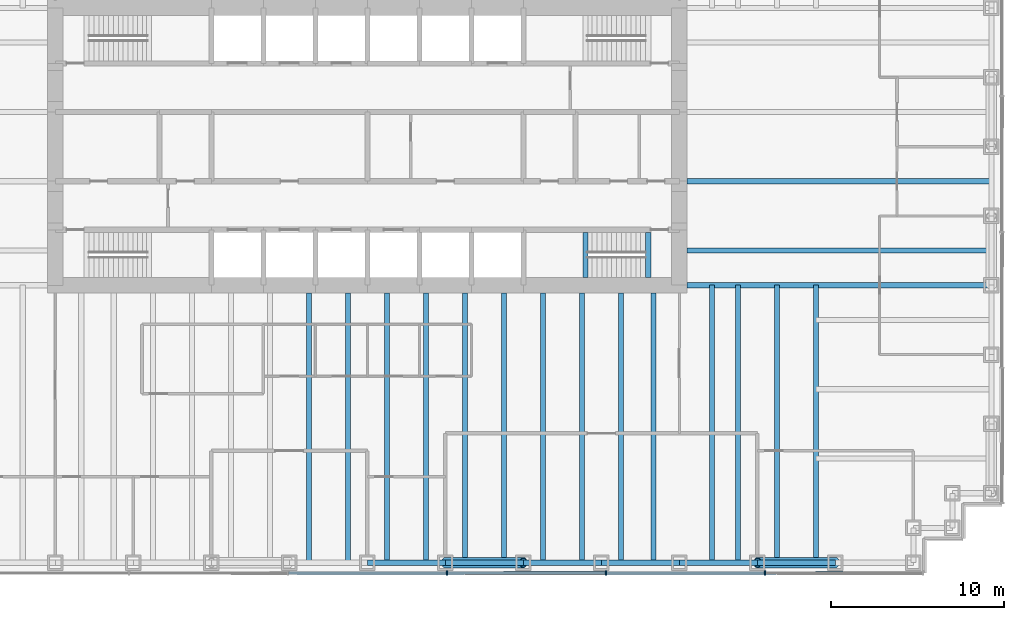
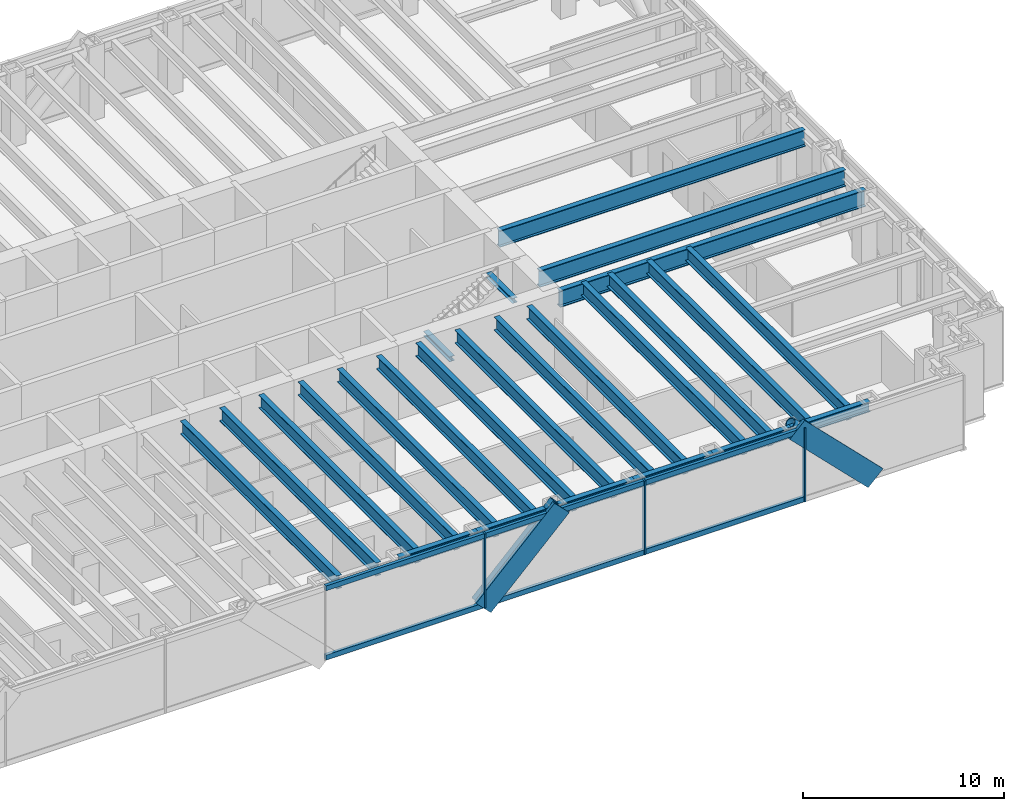
# One storey, part 3 of 13: 25 beams, 13 members, 1 element without a shape of its own.
"""IFC4 building model written with IfcOpenShell, lengths in metres."""

from ifc_helpers import new_model, si_unit, direction, frame, origin, origin_2d, place, context, subcontext, project, spatial, rectangle, hollow_circle, i_section, extrude, material, material_profile, profile_set, type_object, element, aggregate, save


model = new_model("IFC4")

# Units and contexts
model_context = context("Model", 3, precision=1e-05, world=origin(), true_north=direction((0.0, 1.0)))
body_context = subcontext(model_context, "Body", "Model", "MODEL_VIEW")
ifc_project = project(units=[si_unit("LENGTHUNIT", "METRE"), si_unit("AREAUNIT", "SQUARE_METRE"), si_unit("VOLUMEUNIT", "CUBIC_METRE"), si_unit("PLANEANGLEUNIT", "RADIAN"), si_unit("MASSUNIT", "GRAM", prefix="KILO")], contexts=[model_context])

# Site, building, storey
site_placement = place(None, origin())
site = spatial("IfcSite", under=ifc_project, at=site_placement, CompositionType="ELEMENT")
building_placement = place(site_placement, origin())
building = spatial("IfcBuilding", under=site, at=building_placement, Name="Rheinbord Bourse Tower", CompositionType="ELEMENT")
storey_placement = place(building_placement, frame((0.0, 0.0, 36.5)))
storey = spatial("IfcBuildingStorey", under=building, at=storey_placement, Name="L07", CompositionType="ELEMENT", Elevation=36.5)

# Curtain wall, members
ifc_material_1 = material(Name="Dark glass and black aluminium", Category="aluminium")
curtain_wall_type = type_object("IfcCurtainWallType", Name="CW1 DARK GLASS CURTAIN WALL", PredefinedType="USERDEFINED", material=ifc_material_1)
curtain_wall_placement = place(storey_placement, origin())
curtain_wall = element("IfcCurtainWall", 1, at=curtain_wall_placement, inside=storey, type_object=curtain_wall_type, Name="Curtain wall CW1 S L07", ObjectType="UNITISED CURTAIN WALL", PredefinedType="USERDEFINED")
ifc_material_2 = material(Name="Black anodised aluminium", Category="aluminium")
ifc_material_profile_1 = material_profile(ifc_material_2, rectangle(XDim=0.179931640625, YDim=1.2099609375, at=origin_2d()), Name="CW1 DIAGONAL MULLION 1210x180")
ifc_profile_set_1 = profile_set([ifc_material_profile_1], Name="Black anodised aluminium")
member_type_1 = type_object("IfcMemberType", Name="CW1 BLACK DIAGONAL MULLION", PredefinedType="USERDEFINED", material=ifc_profile_set_1)
member_1_placement = place(storey_placement, frame((40.5, -0.60009765625, 0.0), z_axis=(0.707106781187, 0.0, 0.707106781187), x_axis=(0.0, 1.0, 0.0)))
member_1 = element("IfcMember", 2, at=member_1_placement, type_object=member_type_1, Name="CW1 diagonal mullion a", ObjectType="DIAGONAL MULLION", PredefinedType="USERDEFINED", context=body_context, shape_type="SweptSolid", body=[
    extrude(rectangle(XDim=0.179931640625, YDim=1.2099609375, at=origin_2d()), origin(), (0.0, 0.0, 1.0), 6.364013671875),
])
member_2_placement = place(storey_placement, frame((63.0, -0.60009765625, 0.0), z_axis=(-0.707106781187, 0.0, 0.707106781187), x_axis=(0.0, -1.0, 0.0)))
member_2 = element("IfcMember", 3, at=member_2_placement, type_object=member_type_1, Name="CW1 diagonal mullion c", ObjectType="DIAGONAL MULLION", PredefinedType="USERDEFINED", context=body_context, shape_type="SweptSolid", body=[
    extrude(rectangle(XDim=0.179931640625, YDim=1.2099609375, at=origin_2d()), origin(), (0.0, 0.0, 1.0), 6.364013671875),
])
ifc_material_3 = material(Name="Black anodised aluminium", Category="aluminium")
ifc_material_profile_2 = material_profile(ifc_material_3, rectangle(XDim=0.25, YDim=0.080078125, at=origin_2d()), Name="CW1 MULLION 80x250")
ifc_profile_set_2 = profile_set([ifc_material_profile_2], Name="Black anodised aluminium")
member_type_2 = type_object("IfcMemberType", Name="CW1 BLACK MULLION", PredefinedType="MULLION", material=ifc_profile_set_2)
member_3_placement = place(storey_placement, frame((40.585693359375, -0.60009765625, 0.0), z_axis=(0.0, 0.0, 1.0), x_axis=(0.0, 1.0, 0.0)))
member_3 = element("IfcMember", 4, at=member_3_placement, type_object=member_type_2, Name="CW1 mullion 5", PredefinedType="MULLION", context=body_context, shape_type="SweptSolid", body=[
    extrude(rectangle(XDim=0.25, YDim=0.080078125, at=origin_2d()), origin(), (0.0, 0.0, 1.0), 4.5),
])
member_4_placement = place(storey_placement, frame((49.757080078125, -0.60009765625, 0.0), z_axis=(0.0, 0.0, 1.0), x_axis=(0.0, 1.0, 0.0)))
member_4 = element("IfcMember", 5, at=member_4_placement, type_object=member_type_2, Name="CW1 mullion 6", PredefinedType="MULLION", context=body_context, shape_type="SweptSolid", body=[
    extrude(rectangle(XDim=0.25, YDim=0.080078125, at=origin_2d()), origin(), (0.0, 0.0, 1.0), 4.5),
])
member_5_placement = place(storey_placement, frame((58.928466796875, -0.60009765625, 0.0), z_axis=(0.0, 0.0, 1.0), x_axis=(0.0, 1.0, 0.0)))
member_5 = element("IfcMember", 6, at=member_5_placement, type_object=member_type_2, Name="CW1 mullion 7", PredefinedType="MULLION", context=body_context, shape_type="SweptSolid", body=[
    extrude(rectangle(XDim=0.25, YDim=0.080078125, at=origin_2d()), origin(), (0.0, 0.0, 1.0), 4.5),
])
ifc_material_4 = material(Name="Black anodised aluminium", Category="aluminium")
ifc_material_profile_3 = material_profile(ifc_material_4, rectangle(XDim=0.179931640625, YDim=0.300048828125, at=origin_2d()), Name="CW1 TRANSOM 300x180")
ifc_profile_set_3 = profile_set([ifc_material_profile_3], Name="Black anodised aluminium")
member_type_3 = type_object("IfcMemberType", Name="CW1 BLACK TRANSOM", PredefinedType="USERDEFINED", material=ifc_profile_set_3)
member_6_placement = place(storey_placement, frame((31.454345703125, -0.60009765625, 0.14990234375), z_axis=(1.0, 0.0, 0.0), x_axis=(0.0, 1.0, 0.0)))
member_6 = element("IfcMember", 7, at=member_6_placement, type_object=member_type_3, Name="CW1 transom 4.1", ObjectType="TRANSOM", PredefinedType="USERDEFINED", context=body_context, shape_type="SweptSolid", body=[
    extrude(rectangle(XDim=0.179931640625, YDim=0.300048828125, at=origin_2d()), origin(), (0.0, 0.0, 1.0), 9.09130859375),
])
member_7_placement = place(storey_placement, frame((31.454345703125, -0.60009765625, 4.35009765625), z_axis=(1.0, 0.0, 0.0), x_axis=(0.0, 1.0, 0.0)))
member_7 = element("IfcMember", 8, at=member_7_placement, type_object=member_type_3, Name="CW1 transom 4.2", ObjectType="TRANSOM", PredefinedType="USERDEFINED", context=body_context, shape_type="SweptSolid", body=[
    extrude(rectangle(XDim=0.179931640625, YDim=0.300048828125, at=origin_2d()), origin(), (0.0, 0.0, 1.0), 9.09130859375),
])
member_8_placement = place(storey_placement, frame((40.625732421875, -0.60009765625, 0.14990234375), z_axis=(1.0, 0.0, 0.0), x_axis=(0.0, 1.0, 0.0)))
member_8 = element("IfcMember", 9, at=member_8_placement, type_object=member_type_3, Name="CW1 transom 5.1", ObjectType="TRANSOM", PredefinedType="USERDEFINED", context=body_context, shape_type="SweptSolid", body=[
    extrude(rectangle(XDim=0.179931640625, YDim=0.300048828125, at=origin_2d()), origin(), (0.0, 0.0, 1.0), 9.09130859375),
])
member_9_placement = place(storey_placement, frame((40.625732421875, -0.60009765625, 4.35009765625), z_axis=(1.0, 0.0, 0.0), x_axis=(0.0, 1.0, 0.0)))
member_9 = element("IfcMember", 10, at=member_9_placement, type_object=member_type_3, Name="CW1 transom 5.2", ObjectType="TRANSOM", PredefinedType="USERDEFINED", context=body_context, shape_type="SweptSolid", body=[
    extrude(rectangle(XDim=0.179931640625, YDim=0.300048828125, at=origin_2d()), origin(), (0.0, 0.0, 1.0), 9.09130859375),
])
member_10_placement = place(storey_placement, frame((49.797119140625, -0.60009765625, 0.14990234375), z_axis=(1.0, 0.0, 0.0), x_axis=(0.0, 1.0, 0.0)))
member_10 = element("IfcMember", 11, at=member_10_placement, type_object=member_type_3, Name="CW1 transom 6.1", ObjectType="TRANSOM", PredefinedType="USERDEFINED", context=body_context, shape_type="SweptSolid", body=[
    extrude(rectangle(XDim=0.179931640625, YDim=0.300048828125, at=origin_2d()), origin(), (0.0, 0.0, 1.0), 9.091552734375),
])
member_11_placement = place(storey_placement, frame((49.797119140625, -0.60009765625, 4.35009765625), z_axis=(1.0, 0.0, 0.0), x_axis=(0.0, 1.0, 0.0)))
member_11 = element("IfcMember", 12, at=member_11_placement, type_object=member_type_3, Name="CW1 transom 6.2", ObjectType="TRANSOM", PredefinedType="USERDEFINED", context=body_context, shape_type="SweptSolid", body=[
    extrude(rectangle(XDim=0.179931640625, YDim=0.300048828125, at=origin_2d()), origin(), (0.0, 0.0, 1.0), 9.091552734375),
])
aggregate(curtain_wall, [member_3, member_4, member_5, member_6, member_7, member_8, member_9, member_10, member_11, member_1, member_2])

# Beams
ifc_material_5 = material(Name="Steel S460", Category="steel")
ifc_material_profile_4 = material_profile(ifc_material_5, i_section(OverallWidth=0.302001953125, OverallDepth=1.008056640625, WebThickness=0.02099609375, FlangeThickness=0.0400390625, at=origin_2d()), Name="HEM 1000")
ifc_profile_set_4 = profile_set([ifc_material_profile_4], Name="Steel S460")
beam_type_1 = type_object("IfcBeamType", Name="END BEAM HEM 1000", PredefinedType="BEAM", material=ifc_profile_set_4)
for number, where, z_axis, x_axis, name in (
    (13, (54.449951171875, 18.0, 3.81591796875), (1.0, 0.0, 0.0), (0.0, 1.0, 0.0), "End beam east 18 L08"),
    (14, (54.449951171875, 22.0, 3.81591796875), (1.0, 0.0, 0.0), (0.0, 1.0, 0.0), "End beam east 22 L08"),
):
    element("IfcBeam", number, at=place(storey_placement, frame(where, z_axis=z_axis, x_axis=x_axis)), inside=storey, type_object=beam_type_1, Name=name, PredefinedType="BEAM", context=body_context, shape_type="SweptSolid", body=[
        extrude(i_section(OverallWidth=0.302001953125, OverallDepth=1.008056640625, WebThickness=0.02099609375, FlangeThickness=0.0400390625, at=origin_2d()), origin(), (0.0, 0.0, 1.0), 17.550048828125),
    ])
ifc_material_6 = material(Name="Steel S460", Category="steel")
ifc_material_profile_5 = material_profile(ifc_material_6, i_section(OverallWidth=0.300048828125, OverallDepth=0.800048828125, WebThickness=0.017578125, FlangeThickness=0.032958984375, at=origin_2d()), Name="HEB 800")
ifc_profile_set_5 = profile_set([ifc_material_profile_5], Name="Steel S460")
beam_type_2 = type_object("IfcBeamType", Name="FLOOR BEAM HEB 800", PredefinedType="BEAM", material=ifc_profile_set_5)
for number, where, z_axis, x_axis, name in (
    (15, (32.625, 0.0, 3.919921875), (0.0, 1.0, 0.0), (-1.0, 0.0, 0.0), "Floor beam S-31.5a L08"),
    (16, (34.875, 0.0, 3.919921875), (0.0, 1.0, 0.0), (-1.0, 0.0, 0.0), "Floor beam S-31.5b L08"),
    (17, (37.125, 0.0, 3.919921875), (0.0, 1.0, 0.0), (-1.0, 0.0, 0.0), "Floor beam S-36a L08"),
    (18, (39.375, 0.0, 3.919921875), (0.0, 1.0, 0.0), (-1.0, 0.0, 0.0), "Floor beam S-36b L08"),
    (19, (41.625, 0.0, 3.919921875), (0.0, 1.0, 0.0), (-1.0, 0.0, 0.0), "Floor beam S-40.5a L08"),
    (20, (43.875, 0.0, 3.919921875), (0.0, 1.0, 0.0), (-1.0, 0.0, 0.0), "Floor beam S-40.5b L08"),
    (21, (46.125, 0.0, 3.919921875), (0.0, 1.0, 0.0), (-1.0, 0.0, 0.0), "Floor beam S-45a L08"),
    (22, (48.375, 0.0, 3.919921875), (0.0, 1.0, 0.0), (-1.0, 0.0, 0.0), "Floor beam S-45b L08"),
    (23, (50.625, 0.0, 3.919921875), (0.0, 1.0, 0.0), (-1.0, 0.0, 0.0), "Floor beam S-49.5a L08"),
    (24, (52.5, 0.0, 3.919921875), (0.0, 1.0, 0.0), (-1.0, 0.0, 0.0), "Floor beam S-49.5b L08"),
):
    element("IfcBeam", number, at=place(storey_placement, frame(where, z_axis=z_axis, x_axis=x_axis)), inside=storey, type_object=beam_type_2, Name=name, PredefinedType="BEAM", context=body_context, shape_type="SweptSolid", body=[
        extrude(i_section(OverallWidth=0.300048828125, OverallDepth=0.800048828125, WebThickness=0.017578125, FlangeThickness=0.032958984375, at=origin_2d()), origin(), (0.0, 0.0, 1.0), 15.550048828125),
    ])
for number, where, z_axis, x_axis, name in (
    (25, (55.875, 0.0, 3.919921875), (0.0, 1.0, 0.0), (-1.0, 0.0, 0.0), "Floor beam S-54a L08"),
    (26, (57.375, 0.0, 3.919921875), (0.0, 1.0, 0.0), (-1.0, 0.0, 0.0), "Floor beam S-54b L08"),
    (27, (59.625, 0.0, 3.919921875), (0.0, 1.0, 0.0), (-1.0, 0.0, 0.0), "Floor beam S-58.5a L08"),
    (28, (61.875, 0.0, 3.919921875), (0.0, 1.0, 0.0), (-1.0, 0.0, 0.0), "Floor beam S-58.5b L08"),
):
    element("IfcBeam", number, at=place(storey_placement, frame(where, z_axis=z_axis, x_axis=x_axis)), inside=storey, type_object=beam_type_2, Name=name, PredefinedType="BEAM", context=body_context, shape_type="SweptSolid", body=[
        extrude(i_section(OverallWidth=0.300048828125, OverallDepth=0.800048828125, WebThickness=0.017578125, FlangeThickness=0.032958984375, at=origin_2d()), origin(), (0.0, 0.0, 1.0), 16.0),
    ])
ifc_material_7 = material(Name="Steel S460", Category="steel")
ifc_material_profile_6 = material_profile(ifc_material_7, i_section(OverallWidth=0.302001953125, OverallDepth=1.008056640625, WebThickness=0.02099609375, FlangeThickness=0.0400390625, at=origin_2d()), Name="HEM 1000")
ifc_profile_set_6 = profile_set([ifc_material_profile_6], Name="Steel S460")
beam_type_3 = type_object("IfcBeamType", Name="GIRDER HEM 1000", PredefinedType="BEAM", material=ifc_profile_set_6)
beam_placement = place(storey_placement, frame((54.449951171875, 16.0, 3.81591796875), z_axis=(1.0, 0.0, 0.0), x_axis=(0.0, 1.0, 0.0)))
element("IfcBeam", 29, at=beam_placement, inside=storey, type_object=beam_type_3, Name="Girder east 16 L08", PredefinedType="BEAM", context=body_context, shape_type="SweptSolid", body=[
    extrude(i_section(OverallWidth=0.302001953125, OverallDepth=1.008056640625, WebThickness=0.02099609375, FlangeThickness=0.0400390625, at=origin_2d()), origin(), (0.0, 0.0, 1.0), 17.550048828125),
])
ifc_material_8 = material(Name="Steel S460", Category="steel")
ifc_material_profile_7 = material_profile(ifc_material_8, i_section(OverallWidth=0.300048828125, OverallDepth=0.300048828125, WebThickness=0.010986328125, FlangeThickness=0.01904296875, at=origin_2d()), Name="HEB 300")
ifc_profile_set_7 = profile_set([ifc_material_profile_7], Name="Steel S460")
beam_type_4 = type_object("IfcBeamType", Name="LANDING TRIMMER HEB 300", PredefinedType="BEAM", material=ifc_profile_set_7)
for number, where, z_axis, x_axis, name in (
    (30, (48.590087890625, 16.449951171875, 1.89990234375), (0.0, 1.0, 0.0), (-1.0, 0.0, 0.0), "Landing trimmer ST3 L07"),
    (31, (52.199951171875, 16.449951171875, 4.169921875), (0.0, 1.0, 0.0), (-1.0, 0.0, 0.0), "Well trimmer ST3 under L08"),
):
    element("IfcBeam", number, at=place(storey_placement, frame(where, z_axis=z_axis, x_axis=x_axis)), inside=storey, type_object=beam_type_4, Name=name, PredefinedType="BEAM", context=body_context, shape_type="SweptSolid", body=[
        extrude(i_section(OverallWidth=0.300048828125, OverallDepth=0.300048828125, WebThickness=0.010986328125, FlangeThickness=0.01904296875, at=origin_2d()), origin(), (0.0, 0.0, 1.0), 2.60009765625),
    ])

# Members
ifc_material_9 = material(Name="Steel S460", Category="steel")
ifc_material_profile_8 = material_profile(ifc_material_9, hollow_circle(Radius=0.304931640625, WallThickness=0.050048828125, at=origin_2d()), Name="CHS 610x50")
ifc_profile_set_8 = profile_set([ifc_material_profile_8], Name="Steel S460")
member_type_4 = type_object("IfcMemberType", Name="MEGABRACE CHS 610x50", PredefinedType="BRACE", material=ifc_profile_set_8)
for number, where, z_axis, x_axis, name in (
    (32, (40.5, 0.0, 0.0), (0.707106781187, 0.0, 0.707106781187), (0.0, 1.0, 0.0), "Megabrace S face line a L07"),
    (33, (63.0, 0.0, 0.0), (-0.707106781187, 0.0, 0.707106781187), (0.0, -1.0, 0.0), "Megabrace S face line c L07"),
):
    element("IfcMember", number, at=place(storey_placement, frame(where, z_axis=z_axis, x_axis=x_axis)), inside=storey, type_object=member_type_4, Name=name, PredefinedType="BRACE", context=body_context, shape_type="SweptSolid", body=[
        extrude(hollow_circle(Radius=0.304931640625, WallThickness=0.050048828125, at=origin_2d()), origin(), (0.0, 0.0, 1.0), 6.364013671875),
    ])

# Beams
ifc_material_10 = material(Name="Steel S460", Category="steel")
ifc_material_profile_9 = material_profile(ifc_material_10, i_section(OverallWidth=0.304931640625, OverallDepth=0.6201171875, WebThickness=0.02099609375, FlangeThickness=0.0400390625, at=origin_2d()), Name="HEM 600")
ifc_profile_set_9 = profile_set([ifc_material_profile_9], Name="Steel S460")
beam_type_5 = type_object("IfcBeamType", Name="SPANDREL HEM 600", PredefinedType="SPANDREL", material=ifc_profile_set_9)
for number, where, z_axis, x_axis, name in (
    (34, (36.0, 0.0, 4.010009765625), (1.0, 0.0, 0.0), (0.0, 1.0, 0.0), "Spandrel S-36-S-40.5 under L08"),
    (35, (40.5, 0.0, 4.010009765625), (1.0, 0.0, 0.0), (0.0, 1.0, 0.0), "Spandrel S-40.5-S-45 under L08"),
    (36, (45.0, 0.0, 4.010009765625), (1.0, 0.0, 0.0), (0.0, 1.0, 0.0), "Spandrel S-45-S-49.5 under L08"),
    (37, (49.5, 0.0, 4.010009765625), (1.0, 0.0, 0.0), (0.0, 1.0, 0.0), "Spandrel S-49.5-S-54 under L08"),
    (38, (54.0, 0.0, 4.010009765625), (1.0, 0.0, 0.0), (0.0, 1.0, 0.0), "Spandrel S-54-S-58.5 under L08"),
    (39, (58.5, 0.0, 4.010009765625), (1.0, 0.0, 0.0), (0.0, 1.0, 0.0), "Spandrel S-58.5-S-63 under L08"),
):
    element("IfcBeam", number, at=place(storey_placement, frame(where, z_axis=z_axis, x_axis=x_axis)), inside=storey, type_object=beam_type_5, Name=name, PredefinedType="SPANDREL", context=body_context, shape_type="SweptSolid", body=[
        extrude(i_section(OverallWidth=0.304931640625, OverallDepth=0.6201171875, WebThickness=0.02099609375, FlangeThickness=0.0400390625, at=origin_2d()), origin(), (0.0, 0.0, 1.0), 4.5),
    ])

save(model, "model.ifc")
